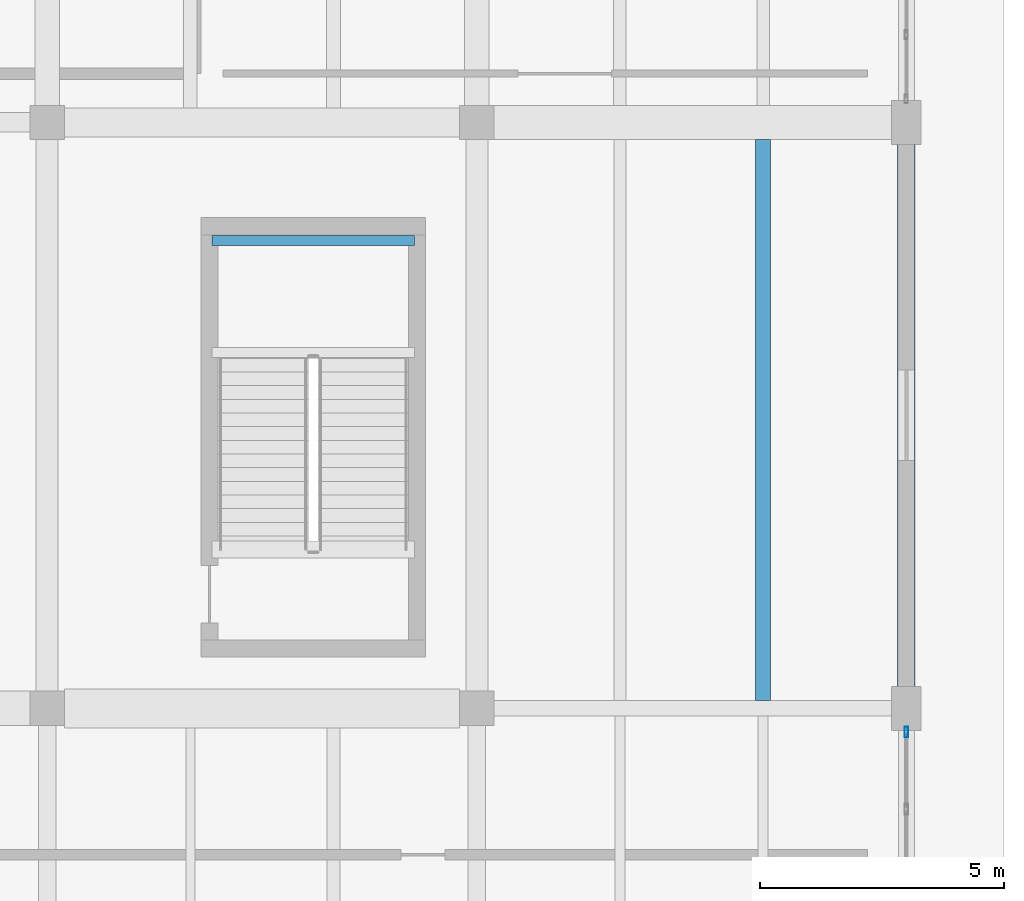
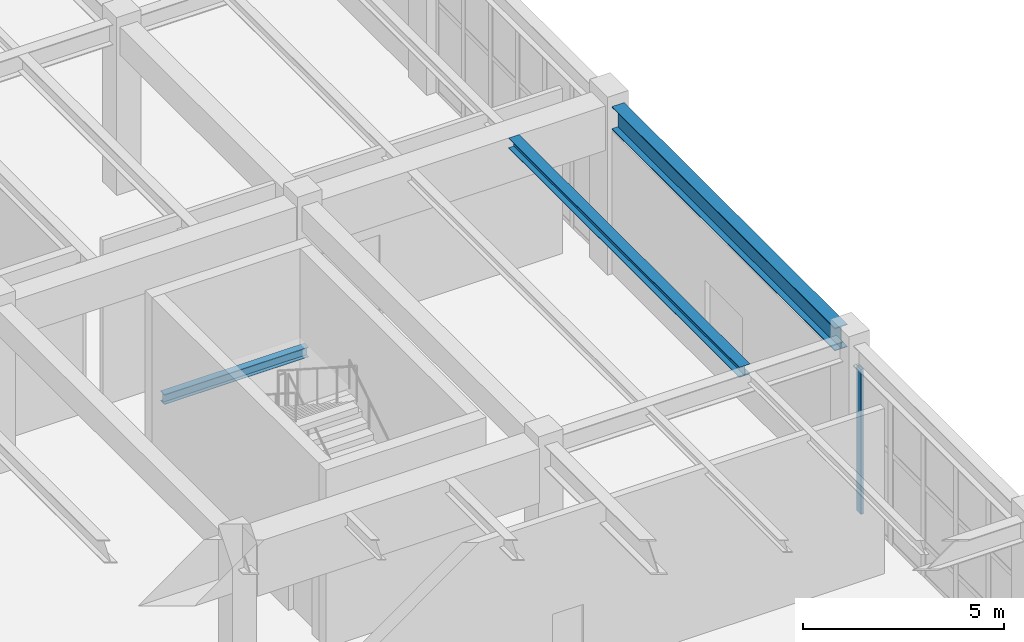
# One storey, part 54 of 91: 3 beams, 1 member, 1 element without a shape of its own.
"""IFC4 building model written with IfcOpenShell, lengths in metres."""

from ifc_helpers import new_model, si_unit, direction, frame, origin, origin_2d, place, context, subcontext, project, spatial, hollow_rectangle, i_section, extrude, material, layer, layer_set, material_profile, profile_set, type_object, element, aggregate, save


model = new_model("IFC4")

# Units and contexts
model_context = context("Model", 3, precision=1e-05, world=origin(), true_north=direction((0.0, 1.0)))
body_context = subcontext(model_context, "Body", "Model", "MODEL_VIEW")
ifc_project = project(units=[si_unit("LENGTHUNIT", "METRE"), si_unit("AREAUNIT", "SQUARE_METRE"), si_unit("VOLUMEUNIT", "CUBIC_METRE"), si_unit("PLANEANGLEUNIT", "RADIAN"), si_unit("MASSUNIT", "GRAM", prefix="KILO")], contexts=[model_context])

# Site, building, storey
site_placement = place(None, origin())
site = spatial("IfcSite", under=ifc_project, at=site_placement, CompositionType="ELEMENT")
building_placement = place(site_placement, origin())
building = spatial("IfcBuilding", under=site, at=building_placement, Name="Vaelkrest Opera House", CompositionType="ELEMENT")
storey_placement = place(building_placement, origin())
storey = spatial("IfcBuildingStorey", under=building, at=storey_placement, Name="L00", CompositionType="ELEMENT", Elevation=0.0)

# Curtain wall, member
ifc_material_1 = material(Name="Dark bronze anodized aluminium", Category="aluminium")
ifc_layer = layer(ifc_material_1, 0.199951171875)
ifc_layer_set = layer_set([ifc_layer], Name="Dark bronze anodized aluminium")
curtain_wall_type = type_object("IfcCurtainWallType", Name="CW03", PredefinedType="NOTDEFINED", material=ifc_layer_set)
curtain_wall_placement = place(storey_placement, origin())
curtain_wall = element("IfcCurtainWall", 1, at=curtain_wall_placement, inside=storey, type_object=curtain_wall_type, Name="Curtain wall CW-L00-153", PredefinedType="NOTDEFINED")
ifc_material_profile_1 = material_profile(ifc_material_1, hollow_rectangle(XDim=0.074951171875, YDim=0.219970703125, WallThickness=0.00439453125, at=origin_2d()), Name="CWM75X220")
ifc_profile_set_1 = profile_set([ifc_material_profile_1], Name="Dark bronze anodized aluminium")
member_type = type_object("IfcMemberType", Name="CWM03", PredefinedType="MULLION", material=ifc_profile_set_1)
member_placement = place(storey_placement, frame((86.39990234375, -20.285400390625, 0.0), z_axis=(0.0, 0.0, 1.0), x_axis=(1.0, 0.0, 0.0)))
member = element("IfcMember", 2, at=member_placement, type_object=member_type, Name="CW03 mullion 1", PredefinedType="MULLION", context=body_context, shape_type="SweptSolid", body=[
    extrude(hollow_rectangle(XDim=0.074951171875, YDim=0.219970703125, WallThickness=0.00439453125, at=origin_2d()), origin(), (0.0, 0.0, 1.0), 4.404052734375),
])
aggregate(curtain_wall, [member])

# Beams
ifc_material_2 = material(Name="Steel A992 Gr50", Category="steel")
ifc_material_profile_2 = material_profile(ifc_material_2, i_section(OverallWidth=0.202880859375, OverallDepth=0.302978515625, WebThickness=0.007568359375, FlangeThickness=0.01318359375, at=origin_2d()), Name="W12X40")
ifc_profile_set_2 = profile_set([ifc_material_profile_2], Name="Steel A992 Gr50")
beam_type_1 = type_object("IfcBeamType", Name="J02", PredefinedType="JOIST", material=ifc_profile_set_2)
beam_1_placement = place(storey_placement, frame((72.179931640625, -10.219970703125, 2.348388671875), z_axis=(1.0, 0.0, 0.0), x_axis=(0.0, 1.0, 0.0)))
element("IfcBeam", 3, at=beam_1_placement, inside=storey, type_object=beam_type_1, Name="Stair landing bearer beam ST10 L00-1F", PredefinedType="JOIST", context=body_context, shape_type="SweptSolid", body=[
    extrude(i_section(OverallWidth=0.202880859375, OverallDepth=0.302978515625, WebThickness=0.007568359375, FlangeThickness=0.01318359375, at=origin_2d()), origin(), (0.0, 0.0, 1.0), 4.14013671875),
])
ifc_material_profile_3 = material_profile(ifc_material_2, i_section(OverallWidth=0.304931640625, OverallDepth=0.30810546875, WebThickness=0.010009765625, FlangeThickness=0.015380859375, at=origin_2d()), Name="W12X65")
ifc_profile_set_3 = profile_set([ifc_material_profile_3], Name="Steel A992 Gr50")
beam_type_2 = type_object("IfcBeamType", Name="J04", PredefinedType="JOIST", material=ifc_profile_set_3)
beam_2_placement = place(storey_placement, frame((83.467041015625, -19.637939453125, 4.926025390625), z_axis=(0.0, 1.0, 0.0), x_axis=(-1.0, 0.0, 0.0)))
element("IfcBeam", 4, at=beam_2_placement, inside=storey, type_object=beam_type_2, Name="Floor joist JST-V4-L00-2104", PredefinedType="JOIST", context=body_context, shape_type="SweptSolid", body=[
    extrude(i_section(OverallWidth=0.304931640625, OverallDepth=0.30810546875, WebThickness=0.010009765625, FlangeThickness=0.015380859375, at=origin_2d()), origin(), (0.0, 0.0, 1.0), 11.488037109375),
])
ifc_material_profile_4 = material_profile(ifc_material_2, i_section(OverallWidth=0.35498046875, OverallDepth=0.695068359375, WebThickness=0.015380859375, FlangeThickness=0.02490234375, at=origin_2d()), Name="W27X146")
ifc_profile_set_4 = profile_set([ifc_material_profile_4], Name="Steel A992 Gr50")
beam_type_3 = type_object("IfcBeamType", Name="SP02", PredefinedType="SPANDREL", material=ifc_profile_set_4)
beam_3_placement = place(storey_placement, frame((86.39990234375, -19.35009765625, 4.732421875), z_axis=(0.0, 1.0, 0.0), x_axis=(-1.0, 0.0, 0.0)))
element("IfcBeam", 5, at=beam_3_placement, inside=storey, type_object=beam_type_3, Name="Beam BM-V4-L00-2039", PredefinedType="SPANDREL", context=body_context, shape_type="SweptSolid", body=[
    extrude(i_section(OverallWidth=0.35498046875, OverallDepth=0.695068359375, WebThickness=0.015380859375, FlangeThickness=0.02490234375, at=origin_2d()), origin(), (0.0, 0.0, 1.0), 11.10009765625),
])

save(model, "model.ifc")
